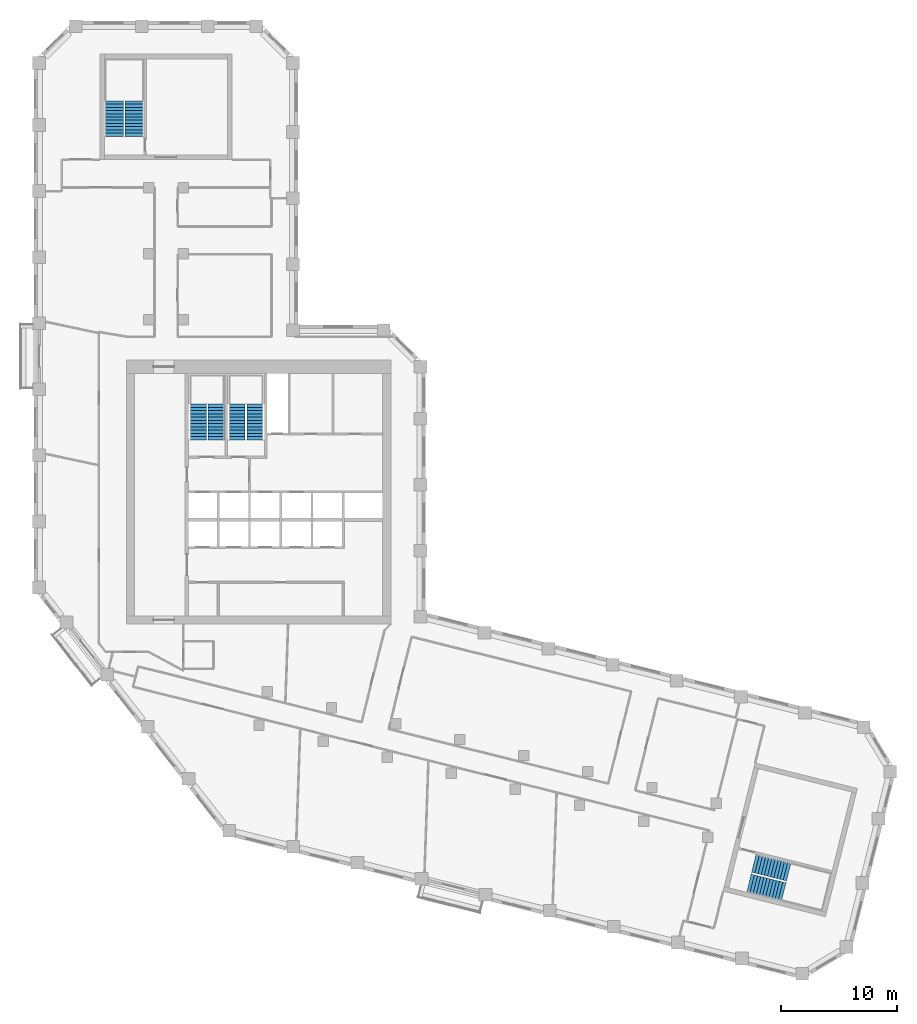
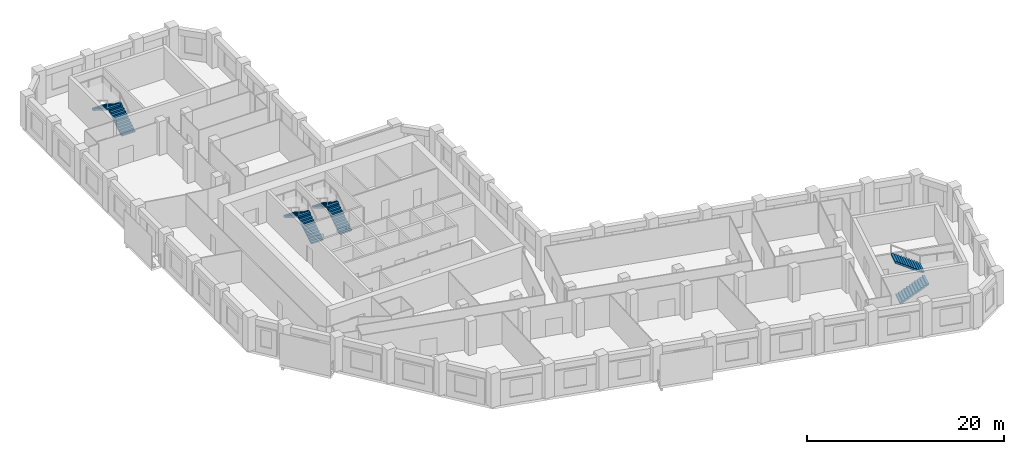
# One storey, part 9 of 10: 8 stair flights, 4 elements without a shape of their own.
"""IFC4 building model written with IfcOpenShell, lengths in metres."""

from ifc_helpers import new_model, si_unit, direction, frame, origin, place, context, subcontext, project, spatial, polyline, outline, extrude, material, type_object, element, aggregate, save


model = new_model("IFC4")

# Units and contexts
model_context = context("Model", 3, precision=1e-05, world=origin(), true_north=direction((0.0, 1.0)))
body_context = subcontext(model_context, "Body", "Model", "MODEL_VIEW")
ifc_project = project(units=[si_unit("LENGTHUNIT", "METRE"), si_unit("AREAUNIT", "SQUARE_METRE"), si_unit("VOLUMEUNIT", "CUBIC_METRE"), si_unit("PLANEANGLEUNIT", "RADIAN"), si_unit("MASSUNIT", "GRAM", prefix="KILO")], contexts=[model_context])

# Site, building, storey
site_placement = place(None, origin())
site = spatial("IfcSite", under=ifc_project, at=site_placement, CompositionType="ELEMENT")
building_placement = place(site_placement, origin())
building = spatial("IfcBuilding", under=site, at=building_placement, Name="Meshkara Civic Tower", CompositionType="ELEMENT")
storey_placement = place(building_placement, frame((0.0, 0.0, 255.0)))
storey = spatial("IfcBuildingStorey", under=building, at=storey_placement, Name="L58", CompositionType="ELEMENT", Elevation=255.0)

# Stair, stair flights
ifc_material_1 = material(Name="Precast concrete C40/50", Category="concrete")
stair_type_1 = type_object("IfcStairType", Name="Exit stair half-turn 24 risers 1600 precast", PredefinedType="HALF_TURN_STAIR", material=ifc_material_1)
stair_1_placement = place(storey_placement, origin())
stair_1 = element("IfcStair", 1, at=stair_1_placement, inside=storey, type_object=stair_type_1, Name="L58 exit stair A from L50", PredefinedType="HALF_TURN_STAIR")
ifc_material_2 = material(Name="Precast concrete C40/50", Category="concrete")
stair_flight_type_1 = type_object("IfcStairFlightType", Name="Exit stair flight 12 risers 1600 precast", PredefinedType="STRAIGHT", material=ifc_material_2)
stair_flight_1_placement = place(storey_placement, frame((8.675048828125, 56.169921875, 0.0), z_axis=(0.0, 0.0, 1.0), x_axis=(0.0, 1.0, 0.0)))
stair_flight_1 = element("IfcStairFlight", 2, at=stair_flight_1_placement, type_object=stair_flight_type_1, Name="ESA4 flight 1", NumberOfRisers=12, NumberOfTreads=11, PredefinedType="STRAIGHT", RiserHeight=0.175, TreadLength=0.28, context=body_context, shape_type="SweptSolid", body=[
    extrude(outline(polyline([(0.0, 0.0), (0.0, 0.175048828125), (0.280029296875, 0.175048828125), (0.280029296875, 0.35009765625), (0.56005859375, 0.35009765625), (0.56005859375, 0.52490234375), (0.840087890625, 0.52490234375), (0.840087890625, 0.699951171875), (1.1201171875, 0.699951171875), (1.1201171875, 0.875), (1.39990234375, 0.875), (1.39990234375, 1.050048828125), (1.679931640625, 1.050048828125), (1.679931640625, 1.22509765625), (1.9599609375, 1.22509765625), (1.9599609375, 1.39990234375), (2.239990234375, 1.39990234375), (2.239990234375, 1.574951171875), (2.52001953125, 1.574951171875), (2.52001953125, 1.75), (2.800048828125, 1.75), (2.800048828125, 1.925048828125), (3.080078125, 1.925048828125), (3.080078125, 2.10009765625), (3.080078125, 1.748291015625), (0.28271484375, 0.0), (0.0, 0.0)])), frame((0.0, 0.800048828125, 0.0), z_axis=(0.0, -1.0, 0.0), x_axis=(1.0, 0.0, 0.0)), (0.0, 0.0, 1.0), 1.60009765625),
])
stair_flight_2_placement = place(storey_placement, frame((6.925048828125, 59.25, 2.10009765625), z_axis=(0.0, 0.0, 1.0), x_axis=(0.0, -1.0, 0.0)))
stair_flight_2 = element("IfcStairFlight", 3, at=stair_flight_2_placement, type_object=stair_flight_type_1, Name="ESA4 flight 2", NumberOfRisers=12, NumberOfTreads=11, PredefinedType="STRAIGHT", RiserHeight=0.175, TreadLength=0.28, context=body_context, shape_type="SweptSolid", body=[
    extrude(outline(polyline([(0.0, 0.0), (0.0, 0.175048828125), (0.280029296875, 0.175048828125), (0.280029296875, 0.35009765625), (0.56005859375, 0.35009765625), (0.56005859375, 0.52490234375), (0.840087890625, 0.52490234375), (0.840087890625, 0.699951171875), (1.1201171875, 0.699951171875), (1.1201171875, 0.875), (1.39990234375, 0.875), (1.39990234375, 1.050048828125), (1.679931640625, 1.050048828125), (1.679931640625, 1.22509765625), (1.9599609375, 1.22509765625), (1.9599609375, 1.39990234375), (2.239990234375, 1.39990234375), (2.239990234375, 1.574951171875), (2.52001953125, 1.574951171875), (2.52001953125, 1.75), (2.800048828125, 1.75), (2.800048828125, 1.925048828125), (3.080078125, 1.925048828125), (3.080078125, 2.10009765625), (3.080078125, 1.748291015625), (0.28271484375, 0.0), (0.0, 0.0)])), frame((0.0, 0.800048828125, 0.0), z_axis=(0.0, -1.0, 0.0), x_axis=(1.0, 0.0, 0.0)), (0.0, 0.0, 1.0), 1.60009765625),
])
aggregate(stair_1, [stair_flight_1, stair_flight_2])

stair_2_placement = place(storey_placement, origin())
stair_2 = element("IfcStair", 4, at=stair_2_placement, inside=storey, type_object=stair_type_1, Name="L58 exit stair B from L50", PredefinedType="HALF_TURN_STAIR")
stair_flight_3_placement = place(storey_placement, frame((61.70751953125, -8.248291015625, 0.0), z_axis=(0.0, 0.0, 1.0), x_axis=(0.970260066579, -0.242064873955, 0.0)))
stair_flight_3 = element("IfcStairFlight", 5, at=stair_flight_3_placement, type_object=stair_flight_type_1, Name="ESB4 flight 1", NumberOfRisers=12, NumberOfTreads=11, PredefinedType="STRAIGHT", RiserHeight=0.175, TreadLength=0.28, context=body_context, shape_type="SweptSolid", body=[
    extrude(outline(polyline([(0.0, 0.0), (0.0, 0.175048828125), (0.280029296875, 0.175048828125), (0.280029296875, 0.35009765625), (0.56005859375, 0.35009765625), (0.56005859375, 0.52490234375), (0.840087890625, 0.52490234375), (0.840087890625, 0.699951171875), (1.1201171875, 0.699951171875), (1.1201171875, 0.875), (1.39990234375, 0.875), (1.39990234375, 1.050048828125), (1.679931640625, 1.050048828125), (1.679931640625, 1.22509765625), (1.9599609375, 1.22509765625), (1.9599609375, 1.39990234375), (2.239990234375, 1.39990234375), (2.239990234375, 1.574951171875), (2.52001953125, 1.574951171875), (2.52001953125, 1.75), (2.800048828125, 1.75), (2.800048828125, 1.925048828125), (3.080078125, 1.925048828125), (3.080078125, 2.10009765625), (3.080078125, 1.748291015625), (0.28271484375, 0.0), (0.0, 0.0)])), frame((0.0, 0.800048828125, 0.0), z_axis=(0.0, -1.0, 0.0), x_axis=(1.0, 0.0, 0.0)), (0.0, 0.0, 1.0), 1.60009765625),
])
stair_flight_4_placement = place(storey_placement, frame((65.11962890625, -7.2958984375, 2.10009765625), z_axis=(0.0, 0.0, 1.0), x_axis=(-0.970260066579, 0.242064873955, 0.0)))
stair_flight_4 = element("IfcStairFlight", 6, at=stair_flight_4_placement, type_object=stair_flight_type_1, Name="ESB4 flight 2", NumberOfRisers=12, NumberOfTreads=11, PredefinedType="STRAIGHT", RiserHeight=0.175, TreadLength=0.28, context=body_context, shape_type="SweptSolid", body=[
    extrude(outline(polyline([(0.0, 0.0), (0.0, 0.175048828125), (0.280029296875, 0.175048828125), (0.280029296875, 0.35009765625), (0.56005859375, 0.35009765625), (0.56005859375, 0.52490234375), (0.840087890625, 0.52490234375), (0.840087890625, 0.699951171875), (1.1201171875, 0.699951171875), (1.1201171875, 0.875), (1.39990234375, 0.875), (1.39990234375, 1.050048828125), (1.679931640625, 1.050048828125), (1.679931640625, 1.22509765625), (1.9599609375, 1.22509765625), (1.9599609375, 1.39990234375), (2.239990234375, 1.39990234375), (2.239990234375, 1.574951171875), (2.52001953125, 1.574951171875), (2.52001953125, 1.75), (2.800048828125, 1.75), (2.800048828125, 1.925048828125), (3.080078125, 1.925048828125), (3.080078125, 2.10009765625), (3.080078125, 1.748291015625), (0.28271484375, 0.0), (0.0, 0.0)])), frame((0.0, 0.800048828125, 0.0), z_axis=(0.0, -1.0, 0.0), x_axis=(1.0, 0.0, 0.0)), (0.0, 0.0, 1.0), 1.60009765625),
])
aggregate(stair_2, [stair_flight_3, stair_flight_4])

ifc_material_3 = material(Name="Precast concrete C40/50", Category="concrete")
stair_type_2 = type_object("IfcStairType", Name="Exit stair half-turn 24 risers precast", PredefinedType="HALF_TURN_STAIR", material=ifc_material_3)
stair_3_placement = place(storey_placement, origin())
stair_3 = element("IfcStair", 7, at=stair_3_placement, inside=storey, type_object=stair_type_2, Name="L58 exit stair 1", PredefinedType="HALF_TURN_STAIR")
ifc_material_4 = material(Name="Precast concrete C40/50", Category="concrete")
stair_flight_type_2 = type_object("IfcStairFlightType", Name="Exit stair flight 12 risers precast", PredefinedType="STRAIGHT", material=ifc_material_4)
stair_flight_5_placement = place(storey_placement, frame((15.72509765625, 30.0, 0.0), z_axis=(0.0, 0.0, 1.0), x_axis=(0.0, 1.0, 0.0)))
stair_flight_5 = element("IfcStairFlight", 8, at=stair_flight_5_placement, type_object=stair_flight_type_2, Name="ST1 flight 1", NumberOfRisers=12, NumberOfTreads=11, PredefinedType="STRAIGHT", RiserHeight=0.175, TreadLength=0.28, context=body_context, shape_type="SweptSolid", body=[
    extrude(outline(polyline([(0.0, 0.0), (0.0, 0.175048828125), (0.280029296875, 0.175048828125), (0.280029296875, 0.35009765625), (0.56005859375, 0.35009765625), (0.56005859375, 0.52490234375), (0.840087890625, 0.52490234375), (0.840087890625, 0.699951171875), (1.1201171875, 0.699951171875), (1.1201171875, 0.875), (1.39990234375, 0.875), (1.39990234375, 1.050048828125), (1.679931640625, 1.050048828125), (1.679931640625, 1.22509765625), (1.9599609375, 1.22509765625), (1.9599609375, 1.39990234375), (2.239990234375, 1.39990234375), (2.239990234375, 1.574951171875), (2.52001953125, 1.574951171875), (2.52001953125, 1.75), (2.800048828125, 1.75), (2.800048828125, 1.925048828125), (3.080078125, 1.925048828125), (3.080078125, 2.10009765625), (3.080078125, 1.748291015625), (0.28271484375, 0.0), (0.0, 0.0)])), frame((0.0, 0.699951171875, 0.0), z_axis=(0.0, -1.0, 0.0), x_axis=(1.0, 0.0, 0.0)), (0.0, 0.0, 1.0), 1.39990234375),
])
stair_flight_6_placement = place(storey_placement, frame((14.175048828125, 33.080078125, 2.10009765625), z_axis=(0.0, 0.0, 1.0), x_axis=(0.0, -1.0, 0.0)))
stair_flight_6 = element("IfcStairFlight", 9, at=stair_flight_6_placement, type_object=stair_flight_type_2, Name="ST1 flight 2", NumberOfRisers=12, NumberOfTreads=11, PredefinedType="STRAIGHT", RiserHeight=0.175, TreadLength=0.28, context=body_context, shape_type="SweptSolid", body=[
    extrude(outline(polyline([(0.0, 0.0), (0.0, 0.175048828125), (0.280029296875, 0.175048828125), (0.280029296875, 0.35009765625), (0.56005859375, 0.35009765625), (0.56005859375, 0.52490234375), (0.840087890625, 0.52490234375), (0.840087890625, 0.699951171875), (1.1201171875, 0.699951171875), (1.1201171875, 0.875), (1.39990234375, 0.875), (1.39990234375, 1.050048828125), (1.679931640625, 1.050048828125), (1.679931640625, 1.22509765625), (1.9599609375, 1.22509765625), (1.9599609375, 1.39990234375), (2.239990234375, 1.39990234375), (2.239990234375, 1.574951171875), (2.52001953125, 1.574951171875), (2.52001953125, 1.75), (2.800048828125, 1.75), (2.800048828125, 1.925048828125), (3.080078125, 1.925048828125), (3.080078125, 2.10009765625), (3.080078125, 1.748291015625), (0.28271484375, 0.0), (0.0, 0.0)])), frame((0.0, 0.699951171875, 0.0), z_axis=(0.0, -1.0, 0.0), x_axis=(1.0, 0.0, 0.0)), (0.0, 0.0, 1.0), 1.39990234375),
])
aggregate(stair_3, [stair_flight_5, stair_flight_6])

stair_4_placement = place(storey_placement, origin())
stair_4 = element("IfcStair", 10, at=stair_4_placement, inside=storey, type_object=stair_type_2, Name="L58 exit stair 2", PredefinedType="HALF_TURN_STAIR")
stair_flight_7_placement = place(storey_placement, frame((19.074951171875, 30.0, 0.0), z_axis=(0.0, 0.0, 1.0), x_axis=(0.0, 1.0, 0.0)))
stair_flight_7 = element("IfcStairFlight", 11, at=stair_flight_7_placement, type_object=stair_flight_type_2, Name="ST2 flight 1", NumberOfRisers=12, NumberOfTreads=11, PredefinedType="STRAIGHT", RiserHeight=0.175, TreadLength=0.28, context=body_context, shape_type="SweptSolid", body=[
    extrude(outline(polyline([(0.0, 0.0), (0.0, 0.175048828125), (0.280029296875, 0.175048828125), (0.280029296875, 0.35009765625), (0.56005859375, 0.35009765625), (0.56005859375, 0.52490234375), (0.840087890625, 0.52490234375), (0.840087890625, 0.699951171875), (1.1201171875, 0.699951171875), (1.1201171875, 0.875), (1.39990234375, 0.875), (1.39990234375, 1.050048828125), (1.679931640625, 1.050048828125), (1.679931640625, 1.22509765625), (1.9599609375, 1.22509765625), (1.9599609375, 1.39990234375), (2.239990234375, 1.39990234375), (2.239990234375, 1.574951171875), (2.52001953125, 1.574951171875), (2.52001953125, 1.75), (2.800048828125, 1.75), (2.800048828125, 1.925048828125), (3.080078125, 1.925048828125), (3.080078125, 2.10009765625), (3.080078125, 1.748291015625), (0.28271484375, 0.0), (0.0, 0.0)])), frame((0.0, 0.699951171875, 0.0), z_axis=(0.0, -1.0, 0.0), x_axis=(1.0, 0.0, 0.0)), (0.0, 0.0, 1.0), 1.39990234375),
])
stair_flight_8_placement = place(storey_placement, frame((17.52490234375, 33.080078125, 2.10009765625), z_axis=(0.0, 0.0, 1.0), x_axis=(0.0, -1.0, 0.0)))
stair_flight_8 = element("IfcStairFlight", 12, at=stair_flight_8_placement, type_object=stair_flight_type_2, Name="ST2 flight 2", NumberOfRisers=12, NumberOfTreads=11, PredefinedType="STRAIGHT", RiserHeight=0.175, TreadLength=0.28, context=body_context, shape_type="SweptSolid", body=[
    extrude(outline(polyline([(0.0, 0.0), (0.0, 0.175048828125), (0.280029296875, 0.175048828125), (0.280029296875, 0.35009765625), (0.56005859375, 0.35009765625), (0.56005859375, 0.52490234375), (0.840087890625, 0.52490234375), (0.840087890625, 0.699951171875), (1.1201171875, 0.699951171875), (1.1201171875, 0.875), (1.39990234375, 0.875), (1.39990234375, 1.050048828125), (1.679931640625, 1.050048828125), (1.679931640625, 1.22509765625), (1.9599609375, 1.22509765625), (1.9599609375, 1.39990234375), (2.239990234375, 1.39990234375), (2.239990234375, 1.574951171875), (2.52001953125, 1.574951171875), (2.52001953125, 1.75), (2.800048828125, 1.75), (2.800048828125, 1.925048828125), (3.080078125, 1.925048828125), (3.080078125, 2.10009765625), (3.080078125, 1.748291015625), (0.28271484375, 0.0), (0.0, 0.0)])), frame((0.0, 0.699951171875, 0.0), z_axis=(0.0, -1.0, 0.0), x_axis=(1.0, 0.0, 0.0)), (0.0, 0.0, 1.0), 1.39990234375),
])
aggregate(stair_4, [stair_flight_7, stair_flight_8])

save(model, "model.ifc")
